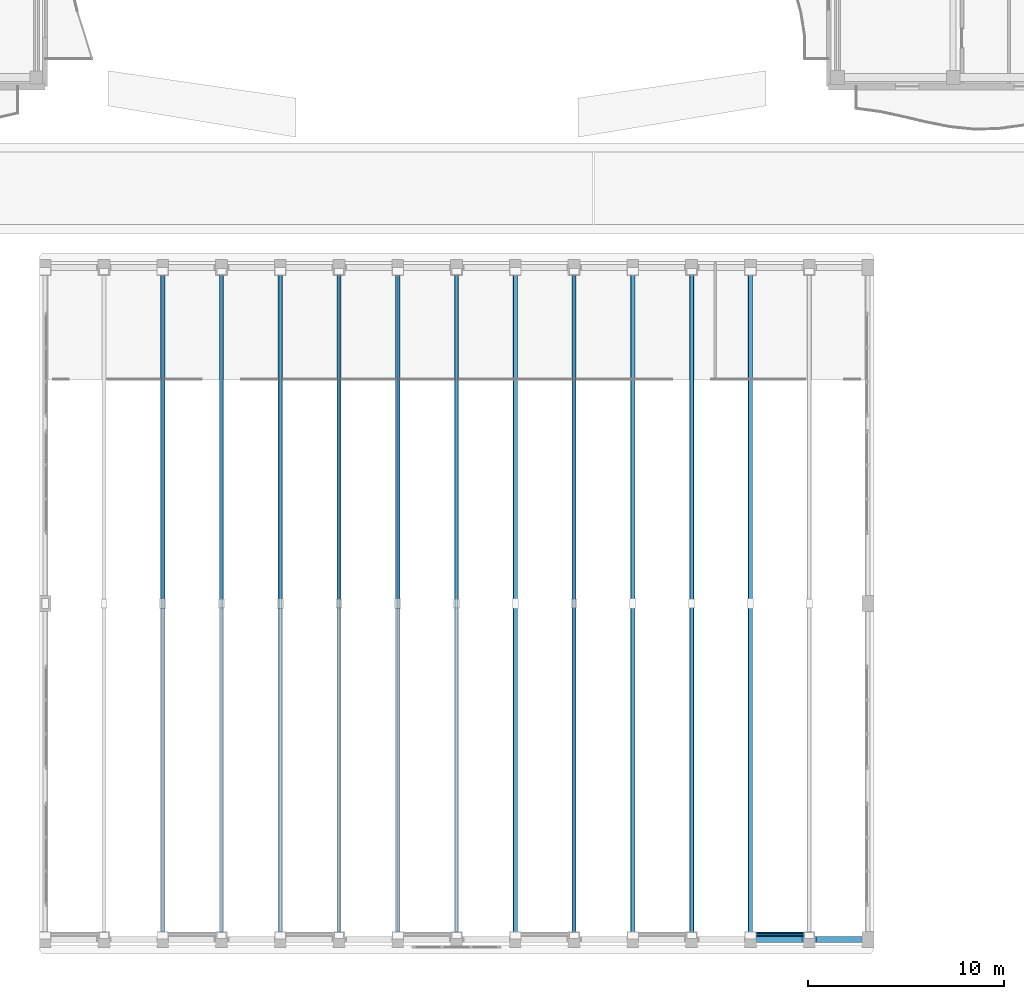
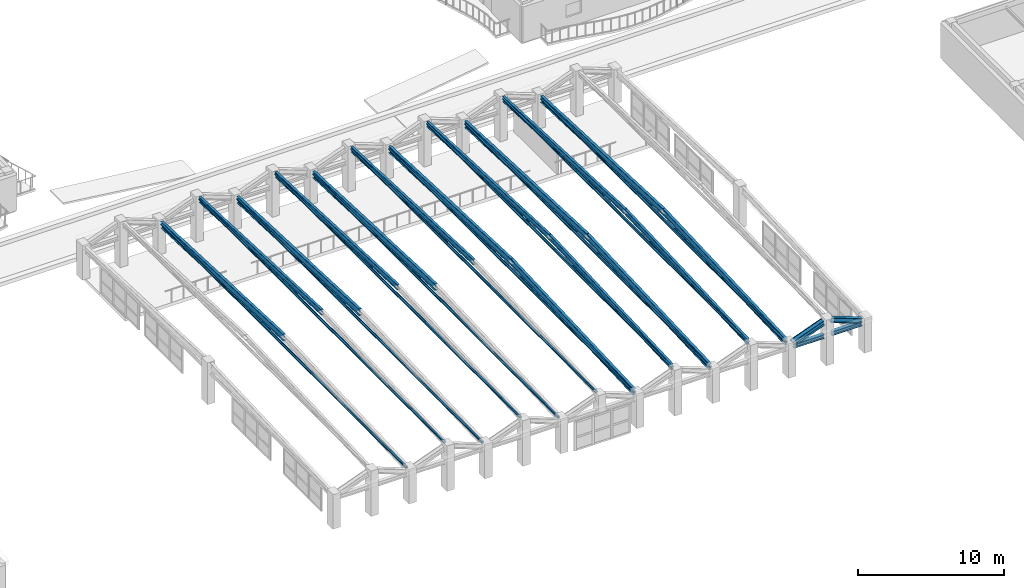
# One storey, part 26 of 128: 20 beams, 12 members.
"""IFC4 building model written with IfcOpenShell, lengths in metres."""

from ifc_helpers import new_model, si_unit, direction, frame, origin, origin_2d, place, context, subcontext, project, spatial, hollow_circle, i_section, extrude, material, material_profile, profile_set, type_object, element, save


model = new_model("IFC4")

# Units and contexts
model_context = context("Model", 3, precision=1e-05, world=origin(), true_north=direction((0.0, 1.0)))
body_context = subcontext(model_context, "Body", "Model", "MODEL_VIEW")
ifc_project = project(units=[si_unit("LENGTHUNIT", "METRE"), si_unit("AREAUNIT", "SQUARE_METRE"), si_unit("VOLUMEUNIT", "CUBIC_METRE"), si_unit("PLANEANGLEUNIT", "RADIAN"), si_unit("MASSUNIT", "GRAM", prefix="KILO")], contexts=[model_context])

# Site, building, storey
site_placement = place(None, origin())
site = spatial("IfcSite", under=ifc_project, at=site_placement, CompositionType="ELEMENT")
building_placement = place(site_placement, origin())
building = spatial("IfcBuilding", under=site, at=building_placement, Name="Keldmere Railside Commons", CompositionType="ELEMENT")
storey_placement = place(building_placement, frame((0.0, 0.0, 4.159912109375)))
storey = spatial("IfcBuildingStorey", under=building, at=storey_placement, Name="L01", CompositionType="ELEMENT", Elevation=4.159912109375)

# Beams
ifc_material = material(Name="Steel F-36 (S355)", Category="steel")
ifc_material_profile_1 = material_profile(ifc_material, i_section(OverallWidth=0.300048828125, OverallDepth=0.320068359375, WebThickness=0.011474609375, FlangeThickness=0.0205078125, at=origin_2d()), Name="HEB-320")
ifc_profile_set_1 = profile_set([ifc_material_profile_1], Name="Steel F-36 (S355)")
beam_type_1 = type_object("IfcBeamType", Name="Folded-Plate Eave Edge Beam HEB320", PredefinedType="BEAM", material=ifc_profile_set_1)
for number, where, z_axis, x_axis, name in (
    (1, (100.300048828125, 12.449951171875, 2.300048828125), (1.0, 0.0, 0.0), (0.0, 1.0, 0.0), "FPE-1 BM-L01-2643"),
    (2, (103.300048828125, 12.449951171875, 2.300048828125), (1.0, 0.0, 0.0), (0.0, 1.0, 0.0), "FPE-1 BM-L01-2644"),
):
    element("IfcBeam", number, at=place(storey_placement, frame(where, z_axis=z_axis, x_axis=x_axis)), inside=storey, type_object=beam_type_1, Name=name, PredefinedType="BEAM", context=body_context, shape_type="SweptSolid", body=[
        extrude(i_section(OverallWidth=0.300048828125, OverallDepth=0.320068359375, WebThickness=0.011474609375, FlangeThickness=0.0205078125, at=origin_2d()), origin(), (0.0, 0.0, 1.0), 2.39990234375),
    ])
ifc_material_profile_2 = material_profile(ifc_material, i_section(OverallWidth=0.300048828125, OverallDepth=0.39990234375, WebThickness=0.013427734375, FlangeThickness=0.02392578125, at=origin_2d()), Name="HEB-400")
ifc_profile_set_2 = profile_set([ifc_material_profile_2], Name="Steel F-36 (S355)")
beam_type_2 = type_object("IfcBeamType", Name="Folded-Plate End Diaphragm Girder HEB400", PredefinedType="BEAM", material=ifc_profile_set_2)
for number, where, z_axis, x_axis, name in (
    (3, (100.300048828125, 12.449951171875, 2.530029296875), (0.935017102345, 0.0, 0.354602620299), (0.0, 1.0, 0.0), "FPD-1 BM-L01-2649"),
    (4, (103.300048828125, 12.449951171875, 3.440185546875), (0.935017102345, 0.0, -0.354602620299), (0.0, 1.0, 0.0), "FPD-1 BM-L01-2650"),
):
    element("IfcBeam", number, at=place(storey_placement, frame(where, z_axis=z_axis, x_axis=x_axis)), inside=storey, type_object=beam_type_2, Name=name, PredefinedType="BEAM", context=body_context, shape_type="SweptSolid", body=[
        extrude(i_section(OverallWidth=0.300048828125, OverallDepth=0.39990234375, WebThickness=0.013427734375, FlangeThickness=0.02392578125, at=origin_2d()), origin(), (0.0, 0.0, 1.0), 2.566650390625),
    ])
ifc_material_profile_3 = material_profile(ifc_material, i_section(OverallWidth=0.18994140625, OverallDepth=0.449951171875, WebThickness=0.009521484375, FlangeThickness=0.0146484375, at=origin_2d()), Name="IPE-450")
ifc_profile_set_3 = profile_set([ifc_material_profile_3], Name="Steel F-36 (S355)")
beam_type_3 = type_object("IfcBeamType", Name="Folded-Plate Steel Ridge Rib IPE450", PredefinedType="BEAM", material=ifc_profile_set_3)
for number, where, z_axis, x_axis, name in (
    (5, (73.0, 29.60009765625, 4.239990234375), (0.0, 0.999102933585, -0.042347704799), (-1.0, 0.0, 0.0), "FPR-1 BM-L01-2594"),
    (6, (79.0, 29.60009765625, 4.239990234375), (0.0, 0.999102933585, -0.042347704799), (-1.0, 0.0, 0.0), "FPR-1 BM-L01-2606"),
    (7, (85.0, 29.60009765625, 4.239990234375), (0.0, 0.999102933585, -0.042347704799), (-1.0, 0.0, 0.0), "FPR-1 BM-L01-2618"),
    (8, (91.0, 12.85009765625, 3.530029296875), (0.0, 0.999102933585, 0.042347704799), (-1.0, 0.0, 0.0), "FPR-1 BM-L01-2629"),
    (9, (91.0, 29.60009765625, 4.239990234375), (0.0, 0.999102933585, -0.042347704799), (-1.0, 0.0, 0.0), "FPR-1 BM-L01-2630"),
    (10, (97.0, 12.85009765625, 3.530029296875), (0.0, 0.999102933585, 0.042347704799), (-1.0, 0.0, 0.0), "FPR-1 BM-L01-2641"),
    (11, (97.0, 29.60009765625, 4.239990234375), (0.0, 0.999102933585, -0.042347704799), (-1.0, 0.0, 0.0), "FPR-1 BM-L01-2642"),
):
    element("IfcBeam", number, at=place(storey_placement, frame(where, z_axis=z_axis, x_axis=x_axis)), inside=storey, type_object=beam_type_3, Name=name, PredefinedType="BEAM", context=body_context, shape_type="SweptSolid", body=[
        extrude(i_section(OverallWidth=0.18994140625, OverallDepth=0.449951171875, WebThickness=0.009521484375, FlangeThickness=0.0146484375, at=origin_2d()), origin(), (0.0, 0.0, 1.0), 16.76513671875),
    ])
ifc_material_profile_4 = material_profile(ifc_material, i_section(OverallWidth=0.2099609375, OverallDepth=0.550048828125, WebThickness=0.010986328125, FlangeThickness=0.01708984375, at=origin_2d()), Name="IPE-550")
ifc_profile_set_4 = profile_set([ifc_material_profile_4], Name="Steel F-36 (S355)")
beam_type_4 = type_object("IfcBeamType", Name="Folded-Plate Steel Valley Rib IPE550", PredefinedType="BEAM", material=ifc_profile_set_4)
for number, where, z_axis, x_axis, name in (
    (12, (70.0, 29.60009765625, 3.190185546875), (0.0, 0.999102317345, -0.042362241155), (-1.0, 0.0, 0.0), "FPV-1 BM-L01-2588"),
    (13, (76.0, 29.60009765625, 3.190185546875), (0.0, 0.999102317345, -0.042362241155), (-1.0, 0.0, 0.0), "FPV-1 BM-L01-2600"),
    (14, (82.0, 29.60009765625, 3.190185546875), (0.0, 0.999102317345, -0.042362241155), (-1.0, 0.0, 0.0), "FPV-1 BM-L01-2612"),
    (15, (88.0, 12.85009765625, 2.47998046875), (0.0, 0.999102317345, 0.042362241155), (-1.0, 0.0, 0.0), "FPV-1 BM-L01-2623"),
    (16, (88.0, 29.60009765625, 3.190185546875), (0.0, 0.999102317345, -0.042362241155), (-1.0, 0.0, 0.0), "FPV-1 BM-L01-2624"),
    (17, (94.0, 12.85009765625, 2.47998046875), (0.0, 0.999102317345, 0.042362241155), (-1.0, 0.0, 0.0), "FPV-1 BM-L01-2635"),
    (18, (94.0, 29.60009765625, 3.190185546875), (0.0, 0.999102317345, -0.042362241155), (-1.0, 0.0, 0.0), "FPV-1 BM-L01-2636"),
    (19, (100.0, 12.85009765625, 2.47998046875), (0.0, 0.999102317345, 0.042362241155), (-1.0, 0.0, 0.0), "FPV-1 BM-L01-2647"),
    (20, (100.0, 29.60009765625, 3.190185546875), (0.0, 0.999102317345, -0.042362241155), (-1.0, 0.0, 0.0), "FPV-1 BM-L01-2648"),
):
    element("IfcBeam", number, at=place(storey_placement, frame(where, z_axis=z_axis, x_axis=x_axis)), inside=storey, type_object=beam_type_4, Name=name, PredefinedType="BEAM", context=body_context, shape_type="SweptSolid", body=[
        extrude(i_section(OverallWidth=0.2099609375, OverallDepth=0.550048828125, WebThickness=0.010986328125, FlangeThickness=0.01708984375, at=origin_2d()), origin(), (0.0, 0.0, 1.0), 16.76513671875),
    ])

# Members
ifc_material_profile_5 = material_profile(ifc_material, hollow_circle(Radius=0.109619140625, WallThickness=0.008056640625, at=origin_2d()), Name="CHS-219x8")
ifc_profile_set_5 = profile_set([ifc_material_profile_5], Name="Steel F-36 (S355)")
member_type_1 = type_object("IfcMemberType", Name="Folded-Plate Transverse Tie Chord CHS219", PredefinedType="CHORD", material=ifc_profile_set_5)
for number, where, z_axis, x_axis, name in (
    (21, (73.0, 12.85009765625, 3.5400390625), (0.0, 1.0, 0.0), (-1.0, 0.0, 0.0), "CHD-1 MEM-RCHD-004"),
    (22, (70.0, 12.85009765625, 2.489990234375), (0.0, 1.0, 0.0), (-1.0, 0.0, 0.0), "CHD-1 MEM-CHD-005"),
    (23, (79.0, 12.85009765625, 3.5400390625), (0.0, 1.0, 0.0), (-1.0, 0.0, 0.0), "CHD-1 MEM-RCHD-007"),
    (24, (76.0, 12.85009765625, 2.489990234375), (0.0, 1.0, 0.0), (-1.0, 0.0, 0.0), "CHD-1 MEM-CHD-008"),
    (25, (85.0, 12.85009765625, 3.5400390625), (0.0, 1.0, 0.0), (-1.0, 0.0, 0.0), "CHD-1 MEM-RCHD-010"),
    (26, (82.0, 12.85009765625, 2.489990234375), (0.0, 1.0, 0.0), (-1.0, 0.0, 0.0), "CHD-1 MEM-CHD-011"),
    (27, (91.0, 12.85009765625, 3.5400390625), (0.0, 1.0, 0.0), (-1.0, 0.0, 0.0), "CHD-1 MEM-RCHD-013"),
    (28, (88.0, 12.85009765625, 2.489990234375), (0.0, 1.0, 0.0), (-1.0, 0.0, 0.0), "CHD-1 MEM-CHD-014"),
    (29, (97.0, 12.85009765625, 3.5400390625), (0.0, 1.0, 0.0), (-1.0, 0.0, 0.0), "CHD-1 MEM-RCHD-016"),
    (30, (94.0, 12.85009765625, 2.489990234375), (0.0, 1.0, 0.0), (-1.0, 0.0, 0.0), "CHD-1 MEM-CHD-017"),
    (31, (100.0, 12.85009765625, 2.489990234375), (0.0, 1.0, 0.0), (-1.0, 0.0, 0.0), "CHD-1 MEM-CHD-020"),
):
    element("IfcMember", number, at=place(storey_placement, frame(where, z_axis=z_axis, x_axis=x_axis)), inside=storey, type_object=member_type_1, Name=name, PredefinedType="CHORD", context=body_context, shape_type="SweptSolid", body=[
        extrude(hollow_circle(Radius=0.109619140625, WallThickness=0.008056640625, at=origin_2d()), origin(), (0.0, 0.0, 1.0), 33.5),
    ])
ifc_material_profile_6 = material_profile(ifc_material, hollow_circle(Radius=0.109619140625, WallThickness=0.008056640625, at=origin_2d()), Name="CHS-219x8")
ifc_profile_set_6 = profile_set([ifc_material_profile_6], Name="Steel F-36 (S355)")
member_type_2 = type_object("IfcMemberType", Name="Hall Roof Lateral Diagonal Brace CHS219", PredefinedType="BRACE", material=ifc_profile_set_6)
member_placement = place(storey_placement, frame((100.260009765625, 12.719970703125, 2.530029296875), z_axis=(0.9363064477, 0.0, 0.351184048606), x_axis=(0.0, 1.0, 0.0)))
element("IfcMember", 32, at=member_placement, inside=storey, type_object=member_type_2, Name="BR-1 MEM-BR-021", PredefinedType="BRACE", context=body_context, shape_type="SweptSolid", body=[
    extrude(hollow_circle(Radius=0.109619140625, WallThickness=0.008056640625, at=origin_2d()), origin(), (0.0, 0.0, 1.0), 2.648681640625),
])

save(model, "model.ifc")
